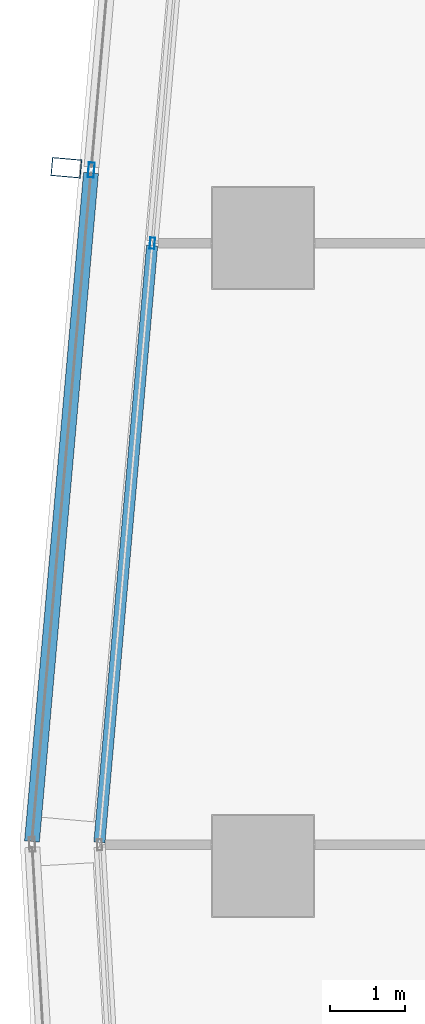
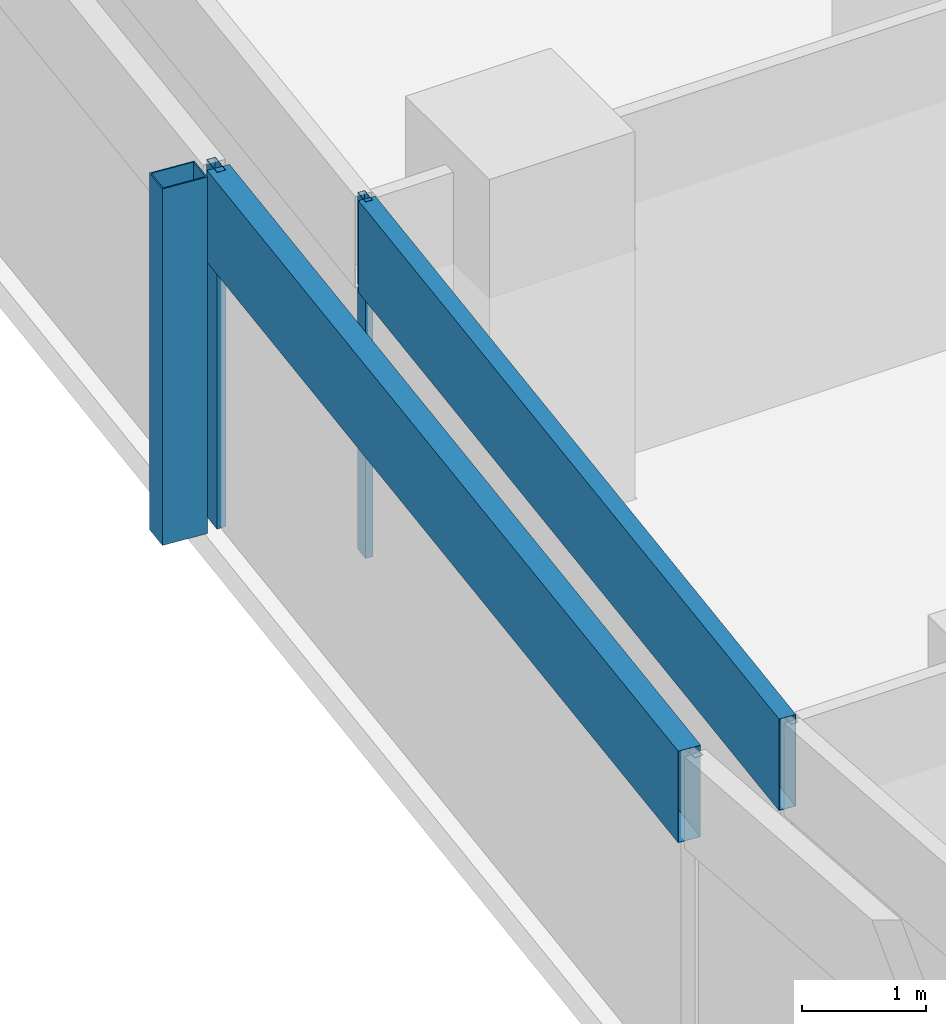
# One storey, part 16 of 39: 5 members, 2 elements without a shape of their own.
"""IFC4 building model written with IfcOpenShell, lengths in metres."""

from ifc_helpers import new_model, si_unit, direction, frame, origin, origin_2d, place, context, subcontext, project, spatial, hollow_rectangle, extrude, material, material_profile, profile_set, type_object, element, aggregate, save


model = new_model("IFC4")

# Units and contexts
model_context = context("Model", 3, precision=1e-05, world=origin(), true_north=direction((0.0, 1.0)))
body_context = subcontext(model_context, "Body", "Model", "MODEL_VIEW")
ifc_project = project(units=[si_unit("LENGTHUNIT", "METRE"), si_unit("AREAUNIT", "SQUARE_METRE"), si_unit("VOLUMEUNIT", "CUBIC_METRE"), si_unit("PLANEANGLEUNIT", "RADIAN"), si_unit("MASSUNIT", "GRAM", prefix="KILO")], contexts=[model_context])

# Site, building, storey
site_placement = place(None, origin())
site = spatial("IfcSite", under=ifc_project, at=site_placement, CompositionType="ELEMENT")
building_placement = place(site_placement, origin())
building = spatial("IfcBuilding", under=site, at=building_placement, Name="Rekha Terrace Tower", CompositionType="ELEMENT")
storey_placement = place(building_placement, frame((0.0, 0.0, 225.199951171875)))
storey = spatial("IfcBuildingStorey", under=building, at=storey_placement, Name="L57", CompositionType="ELEMENT", Elevation=225.199951171875)

# Curtain wall, member
ifc_material_1 = material(Name="Aluminium framing", Category="aluminium")
curtain_wall_type_1 = type_object("IfcCurtainWallType", Name="CW2 double skin outer glazing", PredefinedType="USERDEFINED", material=ifc_material_1)
curtain_wall_1_placement = place(storey_placement, origin())
curtain_wall_1 = element("IfcCurtainWall", 1, at=curtain_wall_1_placement, inside=storey, type_object=curtain_wall_type_1, Name="CW2 double skin outer glazing", ObjectType="DOUBLE SKIN OUTER GLAZING", PredefinedType="USERDEFINED")
ifc_material_2 = material(Name="Steel S355 with fluorocarbon finish", Category="steel")
ifc_material_profile_1 = material_profile(ifc_material_2, hollow_rectangle(XDim=0.25, YDim=0.39990234375, WallThickness=0.012451171875, at=origin_2d()), Name="RHS400x250x12.5")
ifc_profile_set_1 = profile_set([ifc_material_profile_1], Name="Steel S355 with fluorocarbon finish")
member_type_1 = type_object("IfcMemberType", Name="BL1 facade blade RHS 400 x 250", PredefinedType="USERDEFINED", material=ifc_profile_set_1)
member_1_placement = place(storey_placement, frame((5.77001953125, 51.341796875, 0.0), z_axis=(0.0, 0.0, 1.0), x_axis=(-0.087957249501, -0.996124250413, 0.0)))
member_1 = element("IfcMember", 2, at=member_1_placement, type_object=member_type_1, Name="Facade blade", ObjectType="FACADE BLADE", PredefinedType="USERDEFINED", context=body_context, shape_type="SweptSolid", body=[
    extrude(hollow_rectangle(XDim=0.25, YDim=0.39990234375, WallThickness=0.012451171875, at=origin_2d()), origin(), (0.0, 0.0, 1.0), 3.5),
])

# Curtain wall, members
curtain_wall_type_2 = type_object("IfcCurtainWallType", Name="CW1 double skin inner glazing", PredefinedType="USERDEFINED", material=ifc_material_1)
curtain_wall_2_placement = place(storey_placement, origin())
curtain_wall_2 = element("IfcCurtainWall", 3, at=curtain_wall_2_placement, inside=storey, type_object=curtain_wall_type_2, Name="CW1 double skin inner glazing", ObjectType="DOUBLE SKIN INNER GLAZING", PredefinedType="USERDEFINED")
ifc_material_3 = material(Name="Aluminium mullion section", Category="aluminium")
ifc_material_profile_2 = material_profile(ifc_material_3, hollow_rectangle(XDim=0.06494140625, YDim=0.14990234375, WallThickness=0.00390625, at=origin_2d()), Name="AL RHS 65x150")
ifc_profile_set_2 = profile_set([ifc_material_profile_2], Name="Aluminium mullion section")
member_type_2 = type_object("IfcMemberType", Name="CW1 mullion RHS 65 x 150", PredefinedType="MULLION", material=ifc_profile_set_2)
member_2_placement = place(storey_placement, frame((6.920654296875, 50.331787109375, 0.0), z_axis=(0.0, 0.0, 1.0), x_axis=(0.996124185422, -0.087957985523, 0.0)))
member_2 = element("IfcMember", 4, at=member_2_placement, type_object=member_type_2, Name="CW1 mullion 2", PredefinedType="MULLION", context=body_context, shape_type="SweptSolid", body=[
    extrude(hollow_rectangle(XDim=0.06494140625, YDim=0.14990234375, WallThickness=0.00390625, at=origin_2d()), origin(), (0.0, 0.0, 1.0), 3.5),
])
ifc_material_4 = material(Name="Insulated aluminium spandrel box", Category="aluminium")
ifc_material_profile_3 = material_profile(ifc_material_4, hollow_rectangle(XDim=0.14990234375, YDim=0.89990234375, WallThickness=0.0029296875, at=origin_2d()), Name="AL SPANDREL BOX 150x900")
ifc_profile_set_3 = profile_set([ifc_material_profile_3], Name="Insulated aluminium spandrel box")
member_type_3 = type_object("IfcMemberType", Name="CW1 spandrel transom 150 x 900", PredefinedType="USERDEFINED", material=ifc_profile_set_3)
member_3_placement = place(storey_placement, frame((6.917724609375, 50.29931640625, 3.050048828125), z_axis=(-0.087959586596, -0.996124044046, 0.0), x_axis=(0.996124044046, -0.087959586596, 0.0)))
member_3 = element("IfcMember", 5, at=member_3_placement, type_object=member_type_3, Name="CW1 spandrel transom 2", ObjectType="TRANSOM", PredefinedType="USERDEFINED", context=body_context, shape_type="SweptSolid", body=[
    extrude(hollow_rectangle(XDim=0.14990234375, YDim=0.89990234375, WallThickness=0.0029296875, at=origin_2d()), origin(), (0.0, 0.0, 1.0), 8.015869140625),
])
aggregate(curtain_wall_2, [member_2, member_3])

# Member
ifc_material_profile_4 = material_profile(ifc_material_3, hollow_rectangle(XDim=0.080078125, YDim=0.199951171875, WallThickness=0.00390625, at=origin_2d()), Name="AL RHS 80x200")
ifc_profile_set_4 = profile_set([ifc_material_profile_4], Name="Aluminium mullion section")
member_type_4 = type_object("IfcMemberType", Name="CW2 mullion RHS 80 x 200", PredefinedType="MULLION", material=ifc_profile_set_4)
member_4_placement = place(storey_placement, frame((6.103759765625, 51.312255859375, 0.0), z_axis=(0.0, 0.0, 1.0), x_axis=(0.996124185428, -0.087957985453, 0.0)))
member_4 = element("IfcMember", 6, at=member_4_placement, type_object=member_type_4, Name="CW2 mullion 2", PredefinedType="MULLION", context=body_context, shape_type="SweptSolid", body=[
    extrude(hollow_rectangle(XDim=0.080078125, YDim=0.199951171875, WallThickness=0.00390625, at=origin_2d()), origin(), (0.0, 0.0, 1.0), 3.5),
])

ifc_material_profile_5 = material_profile(ifc_material_4, hollow_rectangle(XDim=0.199951171875, YDim=0.89990234375, WallThickness=0.0029296875, at=origin_2d()), Name="AL SPANDREL BOX 200x900")
ifc_profile_set_5 = profile_set([ifc_material_profile_5], Name="Insulated aluminium spandrel box")
member_type_5 = type_object("IfcMemberType", Name="CW2 spandrel transom 200 x 900", PredefinedType="USERDEFINED", material=ifc_profile_set_5)
member_5_placement = place(storey_placement, frame((6.100341796875, 51.2724609375, 3.050048828125), z_axis=(-0.087981092326, -0.996122144816, 0.0), x_axis=(0.996122144816, -0.087981092326, 0.0)))
member_5 = element("IfcMember", 7, at=member_5_placement, type_object=member_type_5, Name="CW2 spandrel transom 2", ObjectType="TRANSOM", PredefinedType="USERDEFINED", context=body_context, shape_type="SweptSolid", body=[
    extrude(hollow_rectangle(XDim=0.199951171875, YDim=0.89990234375, WallThickness=0.0029296875, at=origin_2d()), origin(), (0.0, 0.0, 1.0), 8.979736328125),
])

aggregate(curtain_wall_1, [member_4, member_5, member_1])

save(model, "model.ifc")
